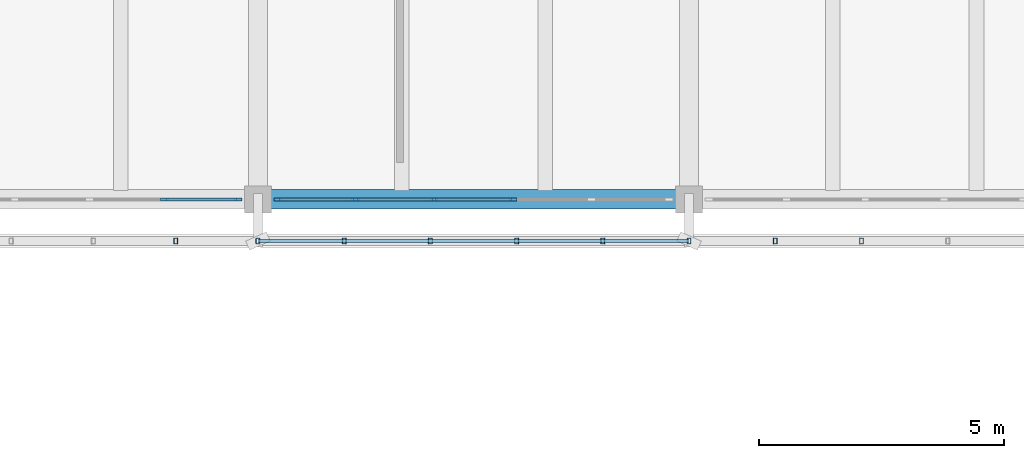
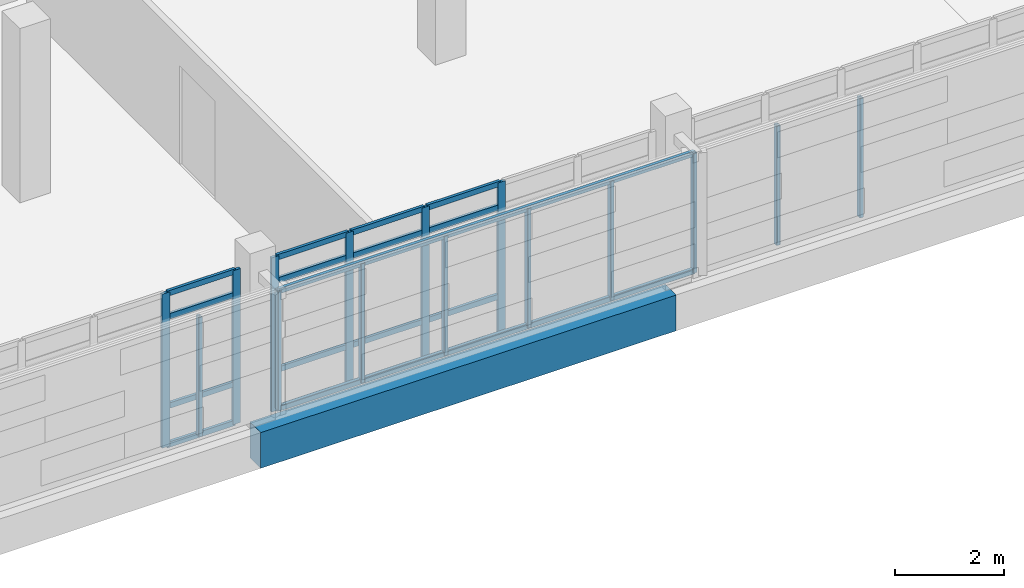
# One storey, part 51 of 117: 33 members, 1 beam, 2 elements without a shape of their own.
"""IFC4 building model written with IfcOpenShell, lengths in metres."""

from ifc_helpers import new_model, si_unit, direction, frame, origin, origin_2d, place, context, subcontext, project, spatial, rectangle, hollow_rectangle, extrude, material, material_profile, profile_set, type_object, element, aggregate, save


model = new_model("IFC4")

# Units and contexts
model_context = context("Model", 3, precision=1e-05, world=origin(), true_north=direction((0.0, 1.0)))
body_context = subcontext(model_context, "Body", "Model", "MODEL_VIEW")
ifc_project = project(units=[si_unit("LENGTHUNIT", "METRE"), si_unit("AREAUNIT", "SQUARE_METRE"), si_unit("VOLUMEUNIT", "CUBIC_METRE"), si_unit("PLANEANGLEUNIT", "RADIAN"), si_unit("MASSUNIT", "GRAM", prefix="KILO")], contexts=[model_context])

# Site, building, storey
site_placement = place(None, origin())
site = spatial("IfcSite", under=ifc_project, at=site_placement, CompositionType="ELEMENT")
building_placement = place(site_placement, origin())
building = spatial("IfcBuilding", under=site, at=building_placement, Name="Cinderway Yard Community Centre", CompositionType="ELEMENT")
storey_placement = place(building_placement, frame((0.0, 0.0, 9.0)))
storey = spatial("IfcBuildingStorey", under=building, at=storey_placement, Name="L02", CompositionType="ELEMENT", Elevation=9.0)

# Curtain wall, members
ifc_material_1 = material(Name="Aluminium 6063-T6", Category="aluminium")
curtain_wall_type_1 = type_object("IfcCurtainWallType", Name="ENV-CW-TYPE-29", PredefinedType="USERDEFINED", material=ifc_material_1)
curtain_wall_1_placement = place(storey_placement, origin())
curtain_wall_1 = element("IfcCurtainWall", 1, at=curtain_wall_1_placement, inside=storey, type_object=curtain_wall_type_1, Name="V4 Courtyard Curtain Wall ENV-CW-L02-ST-0147", ObjectType="GLAZED CURTAIN WALL", PredefinedType="USERDEFINED")
ifc_material_profile_1 = material_profile(ifc_material_1, rectangle(XDim=0.06005859375, YDim=0.159912109375, at=origin_2d()), Name="Aluminium 6063-T6")
ifc_profile_set_1 = profile_set([ifc_material_profile_1], Name="Aluminium 6063-T6")
member_type_1 = type_object("IfcMemberType", Name="ENV-CW-MULL-150", PredefinedType="MULLION", material=ifc_profile_set_1)
member_1_placement = place(storey_placement, frame((73.2919921875, 90.0, 0.0), z_axis=(0.0, 0.0, 1.0), x_axis=(0.0, 1.0, 0.0)))
member_1 = element("IfcMember", 2, at=member_1_placement, type_object=member_type_1, Name="CW-29 mullion 5", PredefinedType="MULLION", context=body_context, shape_type="SweptSolid", body=[
    extrude(rectangle(XDim=0.06005859375, YDim=0.159912109375, at=origin_2d()), origin(), (0.0, 0.0, 1.0), 3.449951171875),
])
member_2_placement = place(storey_placement, frame((74.7900390625, 90.0, 0.0), z_axis=(0.0, 0.0, 1.0), x_axis=(0.0, 1.0, 0.0)))
member_2 = element("IfcMember", 3, at=member_2_placement, type_object=member_type_1, Name="CW-29 mullion 6", PredefinedType="MULLION", context=body_context, shape_type="SweptSolid", body=[
    extrude(rectangle(XDim=0.06005859375, YDim=0.159912109375, at=origin_2d()), origin(), (0.0, 0.0, 1.0), 3.449951171875),
])

curtain_wall_type_2 = type_object("IfcCurtainWallType", Name="ENV-CW-TYPE-30", PredefinedType="USERDEFINED", material=ifc_material_1)
curtain_wall_2_placement = place(storey_placement, origin())
curtain_wall_2 = element("IfcCurtainWall", 4, at=curtain_wall_2_placement, inside=storey, type_object=curtain_wall_type_2, Name="V4 Courtyard Curtain Wall ENV-CW-L02-ST-0149", ObjectType="GLAZED CURTAIN WALL", PredefinedType="USERDEFINED")
member_3_placement = place(storey_placement, frame((75.610107421875, 90.0, 0.0), z_axis=(0.0, 0.0, 1.0), x_axis=(0.0, 1.0, 0.0)))
member_3 = element("IfcMember", 5, at=member_3_placement, type_object=member_type_1, Name="CW-30 mullion 1", PredefinedType="MULLION", context=body_context, shape_type="SweptSolid", body=[
    extrude(rectangle(XDim=0.06005859375, YDim=0.159912109375, at=origin_2d()), origin(), (0.0, 0.0, 1.0), 3.449951171875),
])
member_4_placement = place(storey_placement, frame((77.18798828125, 90.0, 0.0), z_axis=(0.0, 0.0, 1.0), x_axis=(0.0, 1.0, 0.0)))
member_4 = element("IfcMember", 6, at=member_4_placement, type_object=member_type_1, Name="CW-30 mullion 2", PredefinedType="MULLION", context=body_context, shape_type="SweptSolid", body=[
    extrude(rectangle(XDim=0.06005859375, YDim=0.159912109375, at=origin_2d()), origin(), (0.0, 0.0, 1.0), 3.449951171875),
])
member_5_placement = place(storey_placement, frame((78.7958984375, 90.0, 0.0), z_axis=(0.0, 0.0, 1.0), x_axis=(0.0, 1.0, 0.0)))
member_5 = element("IfcMember", 7, at=member_5_placement, type_object=member_type_1, Name="CW-30 mullion 3", PredefinedType="MULLION", context=body_context, shape_type="SweptSolid", body=[
    extrude(rectangle(XDim=0.06005859375, YDim=0.159912109375, at=origin_2d()), origin(), (0.0, 0.0, 1.0), 3.449951171875),
])
member_6_placement = place(storey_placement, frame((80.404052734375, 90.0, 0.0), z_axis=(0.0, 0.0, 1.0), x_axis=(0.0, 1.0, 0.0)))
member_6 = element("IfcMember", 8, at=member_6_placement, type_object=member_type_1, Name="CW-30 mullion 4", PredefinedType="MULLION", context=body_context, shape_type="SweptSolid", body=[
    extrude(rectangle(XDim=0.06005859375, YDim=0.159912109375, at=origin_2d()), origin(), (0.0, 0.0, 1.0), 3.449951171875),
])

# Member
ifc_material_profile_2 = material_profile(ifc_material_1, rectangle(XDim=0.06005859375, YDim=0.1201171875, at=origin_2d()), Name="Aluminium 6063-T6")
ifc_profile_set_2 = profile_set([ifc_material_profile_2], Name="Aluminium 6063-T6")
member_type_2 = type_object("IfcMemberType", Name="ENV-CW-TRAN-110", PredefinedType="USERDEFINED", material=ifc_profile_set_2)
member_7_placement = place(storey_placement, frame((73.322021484375, 90.0, 0.030029296875), z_axis=(1.0, 0.0, 0.0), x_axis=(0.0, 1.0, 0.0)))
member_7 = element("IfcMember", 9, at=member_7_placement, type_object=member_type_2, Name="CW-29 transom 5.1", ObjectType="TRANSOM", PredefinedType="USERDEFINED", context=body_context, shape_type="SweptSolid", body=[
    extrude(rectangle(XDim=0.06005859375, YDim=0.1201171875, at=origin_2d()), origin(), (0.0, 0.0, 1.0), 1.43798828125),
])

member_8_placement = place(storey_placement, frame((73.322021484375, 90.0, 0.89990234375), z_axis=(1.0, 0.0, 0.0), x_axis=(0.0, 1.0, 0.0)))
member_8 = element("IfcMember", 10, at=member_8_placement, type_object=member_type_2, Name="CW-29 transom 5.2", ObjectType="TRANSOM", PredefinedType="USERDEFINED", context=body_context, shape_type="SweptSolid", body=[
    extrude(rectangle(XDim=0.06005859375, YDim=0.1201171875, at=origin_2d()), origin(), (0.0, 0.0, 1.0), 1.43798828125),
])

member_9_placement = place(storey_placement, frame((73.322021484375, 90.0, 2.89990234375), z_axis=(1.0, 0.0, 0.0), x_axis=(0.0, 1.0, 0.0)))
member_9 = element("IfcMember", 11, at=member_9_placement, type_object=member_type_2, Name="CW-29 transom 5.3", ObjectType="TRANSOM", PredefinedType="USERDEFINED", context=body_context, shape_type="SweptSolid", body=[
    extrude(rectangle(XDim=0.06005859375, YDim=0.1201171875, at=origin_2d()), origin(), (0.0, 0.0, 1.0), 1.43798828125),
])

member_10_placement = place(storey_placement, frame((73.322021484375, 90.0, 3.419921875), z_axis=(1.0, 0.0, 0.0), x_axis=(0.0, 1.0, 0.0)))
member_10 = element("IfcMember", 12, at=member_10_placement, type_object=member_type_2, Name="CW-29 transom 5.4", ObjectType="TRANSOM", PredefinedType="USERDEFINED", context=body_context, shape_type="SweptSolid", body=[
    extrude(rectangle(XDim=0.06005859375, YDim=0.1201171875, at=origin_2d()), origin(), (0.0, 0.0, 1.0), 1.43798828125),
])

aggregate(curtain_wall_1, [member_1, member_2, member_7, member_8, member_9, member_10])

member_11_placement = place(storey_placement, frame((75.639892578125, 90.0, 0.030029296875), z_axis=(1.0, 0.0, 0.0), x_axis=(0.0, 1.0, 0.0)))
member_11 = element("IfcMember", 13, at=member_11_placement, type_object=member_type_2, Name="CW-30 transom 1.1", ObjectType="TRANSOM", PredefinedType="USERDEFINED", context=body_context, shape_type="SweptSolid", body=[
    extrude(rectangle(XDim=0.06005859375, YDim=0.1201171875, at=origin_2d()), origin(), (0.0, 0.0, 1.0), 1.51806640625),
])

member_12_placement = place(storey_placement, frame((75.639892578125, 90.0, 0.89990234375), z_axis=(1.0, 0.0, 0.0), x_axis=(0.0, 1.0, 0.0)))
member_12 = element("IfcMember", 14, at=member_12_placement, type_object=member_type_2, Name="CW-30 transom 1.2", ObjectType="TRANSOM", PredefinedType="USERDEFINED", context=body_context, shape_type="SweptSolid", body=[
    extrude(rectangle(XDim=0.06005859375, YDim=0.1201171875, at=origin_2d()), origin(), (0.0, 0.0, 1.0), 1.51806640625),
])

member_13_placement = place(storey_placement, frame((75.639892578125, 90.0, 2.89990234375), z_axis=(1.0, 0.0, 0.0), x_axis=(0.0, 1.0, 0.0)))
member_13 = element("IfcMember", 15, at=member_13_placement, type_object=member_type_2, Name="CW-30 transom 1.3", ObjectType="TRANSOM", PredefinedType="USERDEFINED", context=body_context, shape_type="SweptSolid", body=[
    extrude(rectangle(XDim=0.06005859375, YDim=0.1201171875, at=origin_2d()), origin(), (0.0, 0.0, 1.0), 1.51806640625),
])

member_14_placement = place(storey_placement, frame((75.639892578125, 90.0, 3.419921875), z_axis=(1.0, 0.0, 0.0), x_axis=(0.0, 1.0, 0.0)))
member_14 = element("IfcMember", 16, at=member_14_placement, type_object=member_type_2, Name="CW-30 transom 1.4", ObjectType="TRANSOM", PredefinedType="USERDEFINED", context=body_context, shape_type="SweptSolid", body=[
    extrude(rectangle(XDim=0.06005859375, YDim=0.1201171875, at=origin_2d()), origin(), (0.0, 0.0, 1.0), 1.51806640625),
])

member_15_placement = place(storey_placement, frame((77.218017578125, 90.0, 0.030029296875), z_axis=(1.0, 0.0, 0.0), x_axis=(0.0, 1.0, 0.0)))
member_15 = element("IfcMember", 17, at=member_15_placement, type_object=member_type_2, Name="CW-30 transom 2.1", ObjectType="TRANSOM", PredefinedType="USERDEFINED", context=body_context, shape_type="SweptSolid", body=[
    extrude(rectangle(XDim=0.06005859375, YDim=0.1201171875, at=origin_2d()), origin(), (0.0, 0.0, 1.0), 1.548095703125),
])

member_16_placement = place(storey_placement, frame((77.218017578125, 90.0, 0.89990234375), z_axis=(1.0, 0.0, 0.0), x_axis=(0.0, 1.0, 0.0)))
member_16 = element("IfcMember", 18, at=member_16_placement, type_object=member_type_2, Name="CW-30 transom 2.2", ObjectType="TRANSOM", PredefinedType="USERDEFINED", context=body_context, shape_type="SweptSolid", body=[
    extrude(rectangle(XDim=0.06005859375, YDim=0.1201171875, at=origin_2d()), origin(), (0.0, 0.0, 1.0), 1.548095703125),
])

member_17_placement = place(storey_placement, frame((77.218017578125, 90.0, 2.89990234375), z_axis=(1.0, 0.0, 0.0), x_axis=(0.0, 1.0, 0.0)))
member_17 = element("IfcMember", 19, at=member_17_placement, type_object=member_type_2, Name="CW-30 transom 2.3", ObjectType="TRANSOM", PredefinedType="USERDEFINED", context=body_context, shape_type="SweptSolid", body=[
    extrude(rectangle(XDim=0.06005859375, YDim=0.1201171875, at=origin_2d()), origin(), (0.0, 0.0, 1.0), 1.548095703125),
])

member_18_placement = place(storey_placement, frame((77.218017578125, 90.0, 3.419921875), z_axis=(1.0, 0.0, 0.0), x_axis=(0.0, 1.0, 0.0)))
member_18 = element("IfcMember", 20, at=member_18_placement, type_object=member_type_2, Name="CW-30 transom 2.4", ObjectType="TRANSOM", PredefinedType="USERDEFINED", context=body_context, shape_type="SweptSolid", body=[
    extrude(rectangle(XDim=0.06005859375, YDim=0.1201171875, at=origin_2d()), origin(), (0.0, 0.0, 1.0), 1.548095703125),
])

member_19_placement = place(storey_placement, frame((78.825927734375, 90.0, 0.030029296875), z_axis=(1.0, 0.0, 0.0), x_axis=(0.0, 1.0, 0.0)))
member_19 = element("IfcMember", 21, at=member_19_placement, type_object=member_type_2, Name="CW-30 transom 3.1", ObjectType="TRANSOM", PredefinedType="USERDEFINED", context=body_context, shape_type="SweptSolid", body=[
    extrude(rectangle(XDim=0.06005859375, YDim=0.1201171875, at=origin_2d()), origin(), (0.0, 0.0, 1.0), 1.548095703125),
])

member_20_placement = place(storey_placement, frame((78.825927734375, 90.0, 0.89990234375), z_axis=(1.0, 0.0, 0.0), x_axis=(0.0, 1.0, 0.0)))
member_20 = element("IfcMember", 22, at=member_20_placement, type_object=member_type_2, Name="CW-30 transom 3.2", ObjectType="TRANSOM", PredefinedType="USERDEFINED", context=body_context, shape_type="SweptSolid", body=[
    extrude(rectangle(XDim=0.06005859375, YDim=0.1201171875, at=origin_2d()), origin(), (0.0, 0.0, 1.0), 1.548095703125),
])

member_21_placement = place(storey_placement, frame((78.825927734375, 90.0, 2.89990234375), z_axis=(1.0, 0.0, 0.0), x_axis=(0.0, 1.0, 0.0)))
member_21 = element("IfcMember", 23, at=member_21_placement, type_object=member_type_2, Name="CW-30 transom 3.3", ObjectType="TRANSOM", PredefinedType="USERDEFINED", context=body_context, shape_type="SweptSolid", body=[
    extrude(rectangle(XDim=0.06005859375, YDim=0.1201171875, at=origin_2d()), origin(), (0.0, 0.0, 1.0), 1.548095703125),
])

member_22_placement = place(storey_placement, frame((78.825927734375, 90.0, 3.419921875), z_axis=(1.0, 0.0, 0.0), x_axis=(0.0, 1.0, 0.0)))
member_22 = element("IfcMember", 24, at=member_22_placement, type_object=member_type_2, Name="CW-30 transom 3.4", ObjectType="TRANSOM", PredefinedType="USERDEFINED", context=body_context, shape_type="SweptSolid", body=[
    extrude(rectangle(XDim=0.06005859375, YDim=0.1201171875, at=origin_2d()), origin(), (0.0, 0.0, 1.0), 1.548095703125),
])

aggregate(curtain_wall_2, [member_3, member_4, member_5, member_6, member_11, member_12, member_13, member_14, member_15, member_16, member_17, member_18, member_19, member_20, member_21, member_22])

# Members
ifc_material_2 = material(Name="Steel S355", Category="steel")
ifc_material_profile_3 = material_profile(ifc_material_2, hollow_rectangle(XDim=0.080078125, YDim=0.1201171875, WallThickness=0.00634765625, InnerFilletRadius=0.00634765625, OuterFilletRadius=0.0126953125, at=origin_2d()), Name="Steel S355")
ifc_profile_set_3 = profile_set([ifc_material_profile_3], Name="Steel S355")
member_type_3 = type_object("IfcMemberType", Name="ENV-MEM-SCREEN-RAIL-120", PredefinedType="STRINGER", material=ifc_profile_set_3)
for number, where, z_axis, x_axis, name in (
    (25, (73.52001953125, 89.14990234375, 0.68994140625), (0.0, 0.0, 1.0), (1.0, 0.0, 0.0), "Screen vertical mullion 0444"),
    (26, (75.199951171875, 89.14990234375, 0.68994140625), (0.0, 0.0, 1.0), (1.0, 0.0, 0.0), "Screen vertical mullion 0445"),
):
    element("IfcMember", number, at=place(storey_placement, frame(where, z_axis=z_axis, x_axis=x_axis)), inside=storey, type_object=member_type_3, Name=name, PredefinedType="STRINGER", context=body_context, shape_type="SweptSolid", body=[
        extrude(hollow_rectangle(XDim=0.080078125, YDim=0.1201171875, WallThickness=0.00634765625, InnerFilletRadius=0.00634765625, OuterFilletRadius=0.0126953125, at=origin_2d()), origin(), (0.0, 0.0, 1.0), 2.670166015625),
    ])
for number, where, z_axis, x_axis, name in (
    (27, (75.199951171875, 89.14990234375, 0.7099609375), (1.0, 0.0, 0.0), (0.0, 1.0, 0.0), "Screen support rail 0447-BOT"),
    (28, (75.199951171875, 89.14990234375, 3.340087890625), (1.0, 0.0, 0.0), (0.0, 1.0, 0.0), "Screen support rail 0448-TOP"),
):
    element("IfcMember", number, at=place(storey_placement, frame(where, z_axis=z_axis, x_axis=x_axis)), inside=storey, type_object=member_type_3, Name=name, PredefinedType="STRINGER", context=body_context, shape_type="SweptSolid", body=[
        extrude(hollow_rectangle(XDim=0.080078125, YDim=0.1201171875, WallThickness=0.00634765625, InnerFilletRadius=0.00634765625, OuterFilletRadius=0.0126953125, at=origin_2d()), origin(), (0.0, 0.0, 1.0), 8.800048828125),
    ])
for number, where, z_axis, x_axis, name in (
    (29, (76.9599609375, 89.14990234375, 0.68994140625), (0.0, 0.0, 1.0), (1.0, 0.0, 0.0), "Screen vertical mullion 0449"),
    (30, (78.719970703125, 89.14990234375, 0.68994140625), (0.0, 0.0, 1.0), (1.0, 0.0, 0.0), "Screen vertical mullion 0450"),
    (31, (80.47998046875, 89.14990234375, 0.68994140625), (0.0, 0.0, 1.0), (1.0, 0.0, 0.0), "Screen vertical mullion 0451"),
    (32, (82.239990234375, 89.14990234375, 0.68994140625), (0.0, 0.0, 1.0), (1.0, 0.0, 0.0), "Screen vertical mullion 0452"),
    (33, (84.0, 89.14990234375, 0.68994140625), (0.0, 0.0, 1.0), (1.0, 0.0, 0.0), "Screen vertical mullion 0453"),
    (34, (85.760009765625, 89.14990234375, 0.68994140625), (0.0, 0.0, 1.0), (1.0, 0.0, 0.0), "Screen vertical mullion 0457"),
    (35, (87.52001953125, 89.14990234375, 0.68994140625), (0.0, 0.0, 1.0), (1.0, 0.0, 0.0), "Screen vertical mullion 0458"),
):
    element("IfcMember", number, at=place(storey_placement, frame(where, z_axis=z_axis, x_axis=x_axis)), inside=storey, type_object=member_type_3, Name=name, PredefinedType="STRINGER", context=body_context, shape_type="SweptSolid", body=[
        extrude(hollow_rectangle(XDim=0.080078125, YDim=0.1201171875, WallThickness=0.00634765625, InnerFilletRadius=0.00634765625, OuterFilletRadius=0.0126953125, at=origin_2d()), origin(), (0.0, 0.0, 1.0), 2.670166015625),
    ])

# Beam
ifc_material_3 = material(Name="Concrete C40/50", Category="concrete")
ifc_material_profile_4 = material_profile(ifc_material_3, rectangle(XDim=0.39990234375, YDim=0.800048828125, at=origin_2d()), Name="Concrete C40/50")
ifc_profile_set_4 = profile_set([ifc_material_profile_4], Name="Concrete C40/50")
beam_type = type_object("IfcBeamType", Name="STR-BM-RC400X800", PredefinedType="BEAM", material=ifc_profile_set_4)
beam_placement = place(storey_placement, frame((75.199951171875, 90.0, -0.639892578125), z_axis=(1.0, 0.0, 0.0), x_axis=(0.0, 1.0, 0.0)))
element("IfcBeam", 36, at=beam_placement, inside=storey, type_object=beam_type, Name="Primary girder STR-BM-L02-BG05-0500", PredefinedType="BEAM", context=body_context, shape_type="SweptSolid", body=[
    extrude(rectangle(XDim=0.39990234375, YDim=0.800048828125, at=origin_2d()), origin(), (0.0, 0.0, 1.0), 8.800048828125),
])

save(model, "model.ifc")
